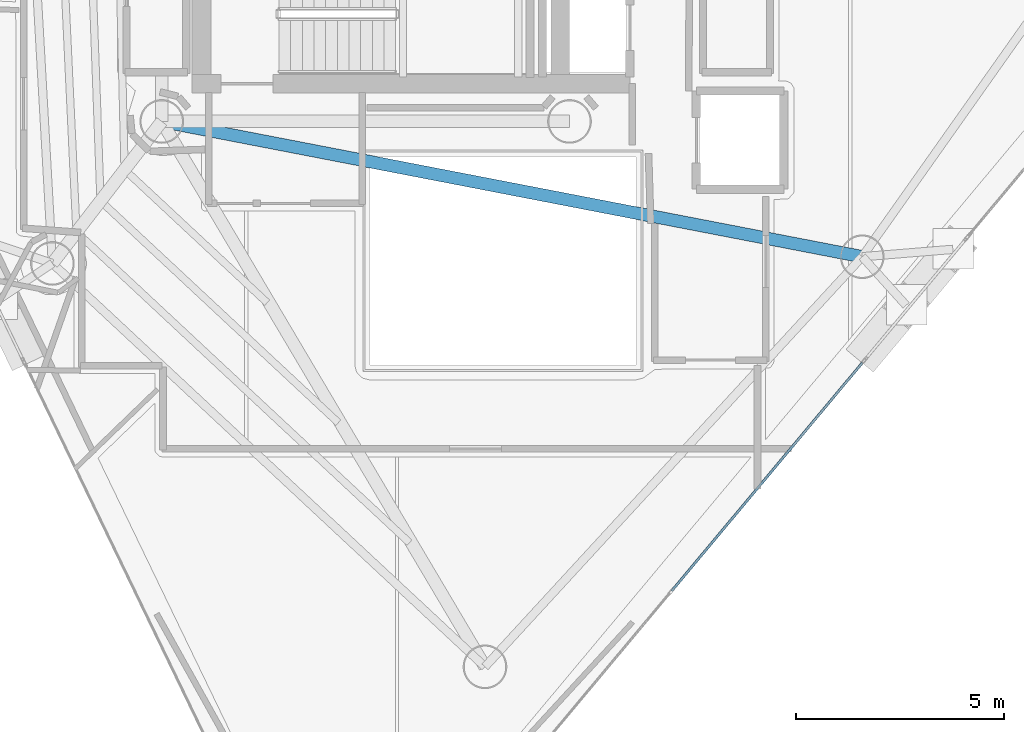
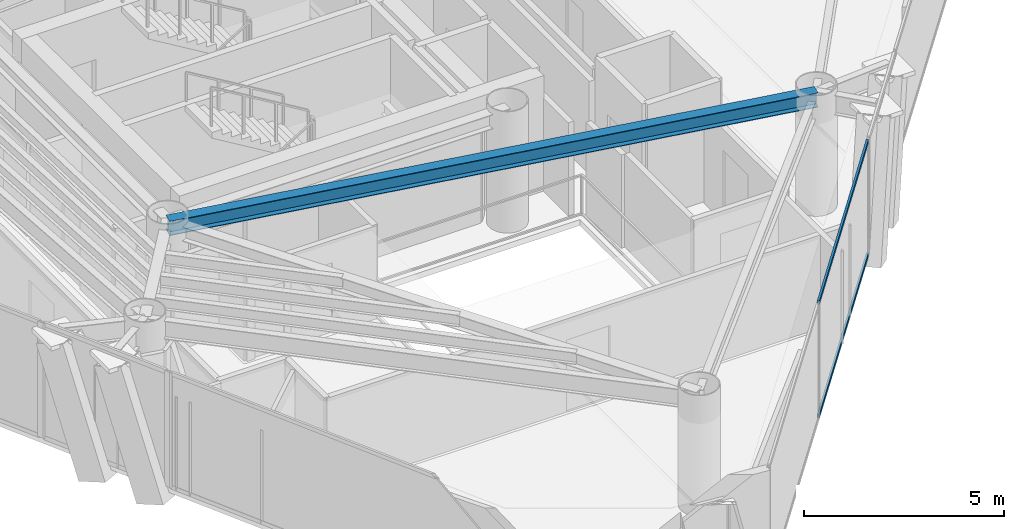
# One storey, part 5 of 20: 2 members, 1 beam, 1 element without a shape of its own.
"""IFC4 building model written with IfcOpenShell, lengths in metres."""

from ifc_helpers import new_model, si_unit, direction, frame, origin, origin_2d, place, context, subcontext, project, spatial, hollow_rectangle, i_section, extrude, material, layer, layer_set, material_profile, profile_set, type_object, element, aggregate, save


model = new_model("IFC4")

# Units and contexts
model_context = context("Model", 3, precision=1e-05, world=origin(), true_north=direction((0.0, 1.0)))
body_context = subcontext(model_context, "Body", "Model", "MODEL_VIEW")
ifc_project = project(units=[si_unit("LENGTHUNIT", "METRE"), si_unit("AREAUNIT", "SQUARE_METRE"), si_unit("VOLUMEUNIT", "CUBIC_METRE"), si_unit("PLANEANGLEUNIT", "RADIAN"), si_unit("MASSUNIT", "GRAM", prefix="KILO")], contexts=[model_context])

# Site, building, storey
site_placement = place(None, origin())
site = spatial("IfcSite", under=ifc_project, at=site_placement, CompositionType="ELEMENT")
building_placement = place(site_placement, origin())
building = spatial("IfcBuilding", under=site, at=building_placement, Name="Qianvela Tower", CompositionType="ELEMENT")
storey_placement = place(building_placement, frame((0.0, 0.0, 257.5)))
storey = spatial("IfcBuildingStorey", under=building, at=storey_placement, Name="L66", CompositionType="ELEMENT", Elevation=257.5)

# Beam
ifc_material_1 = material(Name="Steel Q355B", Category="steel")
ifc_material_profile_1 = material_profile(ifc_material_1, i_section(OverallWidth=0.300048828125, OverallDepth=0.43994140625, WebThickness=0.010986328125, FlangeThickness=0.01806640625, at=origin_2d()), Name="HM440x300x11x18")
ifc_profile_set_1 = profile_set([ifc_material_profile_1], Name="Steel Q355B")
beam_type = type_object("IfcBeamType", Name="BM-HM440-COLL", PredefinedType="BEAM", material=ifc_profile_set_1)
beam_placement = place(storey_placement, frame((28.60009765625, 23.85009765625, 3.298095703125), z_axis=(0.981849104236, -0.189663745904, 0.0), x_axis=(0.189663745904, 0.981849104236, 0.0)))
element("IfcBeam", 1, at=beam_placement, inside=storey, type_object=beam_type, Name="L66 Radial Primary Floor Girder 6", PredefinedType="BEAM", context=body_context, shape_type="SweptSolid", body=[
    extrude(i_section(OverallWidth=0.300048828125, OverallDepth=0.43994140625, WebThickness=0.010986328125, FlangeThickness=0.01806640625, at=origin_2d()), origin(), (0.0, 0.0, 1.0), 17.147216796875),
])

# Curtain wall, members
ifc_material_2 = material(Name="Anodised Architectural Aluminium and Low-E Glass", Category="aluminium")
ifc_layer = layer(ifc_material_2, 0.159912109375)
ifc_layer_set = layer_set([ifc_layer], Name="Anodised Architectural Aluminium and Low-E Glass")
curtain_wall_type = type_object("IfcCurtainWallType", Name="CW-COLIV-Z56", PredefinedType="USERDEFINED", material=ifc_layer_set)
curtain_wall_placement = place(storey_placement, origin())
curtain_wall = element("IfcCurtainWall", 2, at=curtain_wall_placement, inside=storey, type_object=curtain_wall_type, Name="L66 CW-COLIV-Z56 Curtain Wall 06A", ObjectType="CURTAIN_WALL_SYSTEM", PredefinedType="USERDEFINED")
ifc_material_3 = material(Name="Anodised Architectural Aluminium 6063-T6", Category="aluminium")
ifc_material_profile_2 = material_profile(ifc_material_3, hollow_rectangle(XDim=0.06005859375, YDim=0.114990234375, WallThickness=0.00390625, at=origin_2d()), Name="ALU-TRAN-60x115")
ifc_profile_set_2 = profile_set([ifc_material_profile_2], Name="Anodised Architectural Aluminium 6063-T6")
member_type = type_object("IfcMemberType", Name="CW-COLIV-Z56-TRAN", PredefinedType="USERDEFINED", material=ifc_profile_set_2)
member_1_placement = place(storey_placement, frame((40.85693359375, 12.565673828125, 0.030029296875), z_axis=(0.641272316295, 0.767313375586, 0.0), x_axis=(-0.767313375586, 0.641272316295, 0.0)))
member_1 = element("IfcMember", 3, at=member_1_placement, type_object=member_type, Name="CW-5 transom 2.1", ObjectType="TRANSOM", PredefinedType="USERDEFINED", context=body_context, shape_type="SweptSolid", body=[
    extrude(hollow_rectangle(XDim=0.06005859375, YDim=0.114990234375, WallThickness=0.00390625, at=origin_2d()), origin(), (0.0, 0.0, 1.0), 7.1474609375),
])
member_2_placement = place(storey_placement, frame((40.85693359375, 12.565673828125, 3.489990234375), z_axis=(0.641272316295, 0.767313375586, 0.0), x_axis=(-0.767313375586, 0.641272316295, 0.0)))
member_2 = element("IfcMember", 4, at=member_2_placement, type_object=member_type, Name="CW-5 transom 2.2", ObjectType="TRANSOM", PredefinedType="USERDEFINED", context=body_context, shape_type="SweptSolid", body=[
    extrude(hollow_rectangle(XDim=0.06005859375, YDim=0.114990234375, WallThickness=0.00390625, at=origin_2d()), origin(), (0.0, 0.0, 1.0), 7.1474609375),
])
aggregate(curtain_wall, [member_1, member_2])

save(model, "model.ifc")
